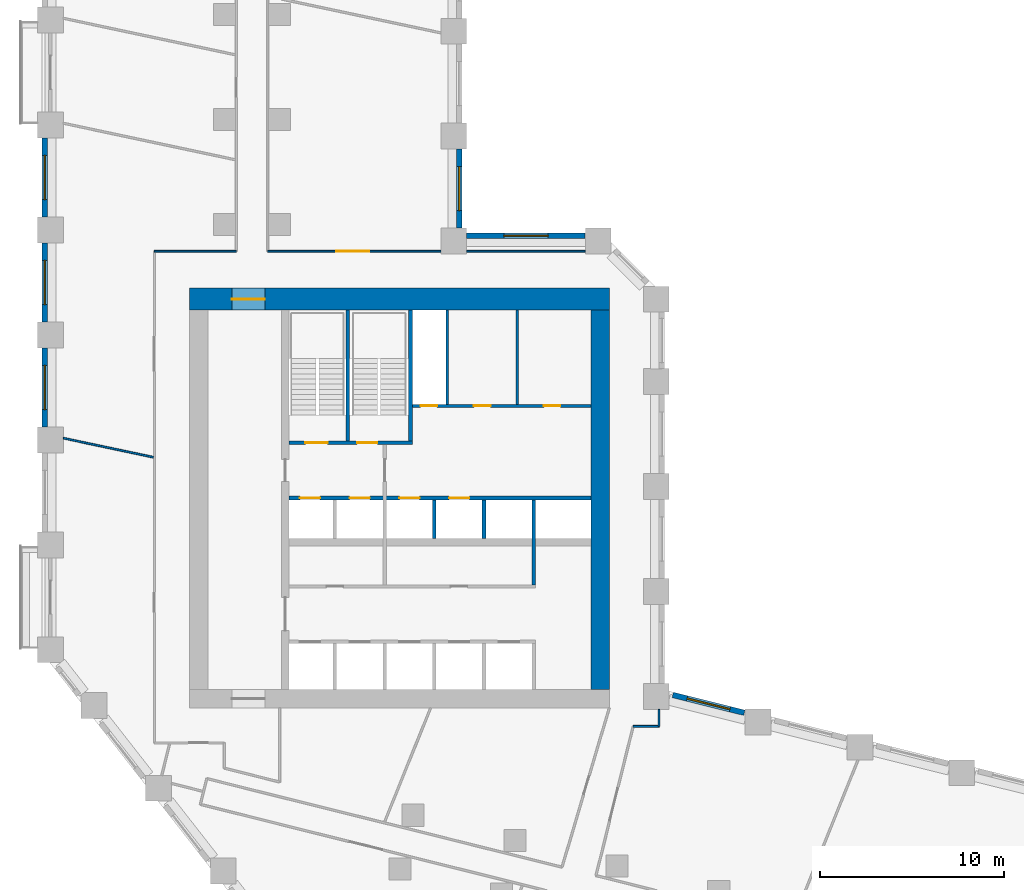
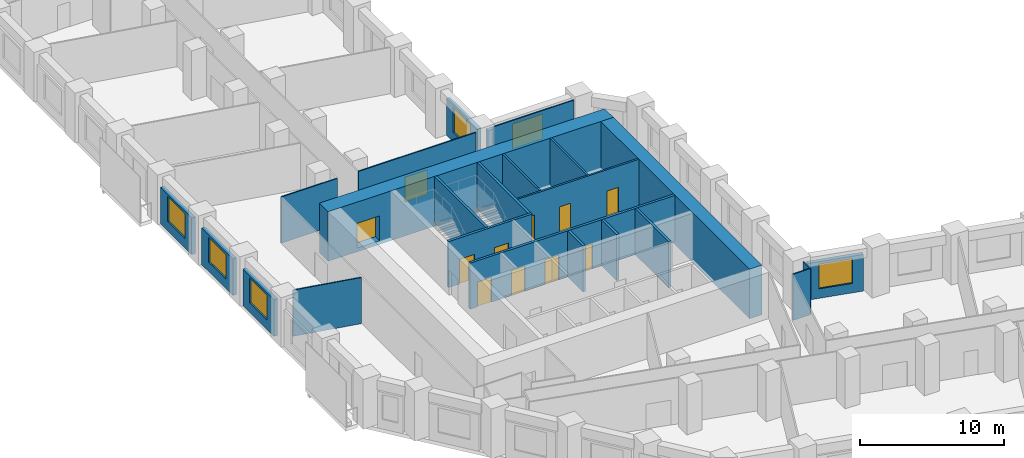
# One storey, part 5 of 11: 24 walls, 11 doors, 6 windows, 17 openings.
"""IFC4 building model written with IfcOpenShell, lengths in metres."""

from ifc_helpers import new_model, si_unit, direction, frame, frame_2d, origin, place, context, subcontext, project, spatial, rectangle, extrude, material, layer, layer_set, type_object, element, fill, save


model = new_model("IFC4")

# Units and contexts
model_context = context("Model", 3, precision=1e-05, world=origin(), true_north=direction((0.0, 1.0)))
body_context = subcontext(model_context, "Body", "Model", "MODEL_VIEW")
ifc_project = project(units=[si_unit("LENGTHUNIT", "METRE"), si_unit("AREAUNIT", "SQUARE_METRE"), si_unit("VOLUMEUNIT", "CUBIC_METRE"), si_unit("PLANEANGLEUNIT", "RADIAN"), si_unit("MASSUNIT", "GRAM", prefix="KILO")], contexts=[model_context])

# Site, building, storey
site_placement = place(None, origin())
site = spatial("IfcSite", under=ifc_project, at=site_placement, CompositionType="ELEMENT")
building_placement = place(site_placement, origin())
building = spatial("IfcBuilding", under=site, at=building_placement, Name="Meshkara Civic Tower", CompositionType="ELEMENT")
storey_placement = place(building_placement, frame((0.0, 0.0, 41.39990234375)))
storey = spatial("IfcBuildingStorey", under=building, at=storey_placement, Name="L08", CompositionType="ELEMENT", Elevation=41.39990234375)

# Wall, openings, doors
ifc_material_1 = material(Name="Blockwork", Category="masonry")
ifc_layer_1 = layer(ifc_material_1, 0.14990234375)
ifc_layer_set_1 = layer_set([ifc_layer_1], Name="Core partition 150")
wall_type_1 = type_object("IfcWallType", Name="Core partition 150", PredefinedType="PARTITIONING", material=ifc_layer_set_1)
wall_1_placement = place(storey_placement, frame((20.10009765625, 30.5, 0.0), z_axis=(0.0, 0.0, 1.0), x_axis=(1.0, 0.0, 0.0)))
wall_1 = element("IfcWall", 1, at=wall_1_placement, inside=storey, type_object=wall_type_1, Name="L08-C010", PredefinedType="PARTITIONING", context=body_context, shape_type="SweptSolid", body=[
    extrude(rectangle(XDim=9.699951171875, YDim=0.14990234375, at=frame_2d((4.85009765625, 0.0))), origin(), (0.0, 0.0, 1.0), 3.900146484375),
])
opening_1_placement = place(wall_1_placement, frame((0.449951171875, 0.0, 0.0)))
opening_1 = element("IfcOpeningElement", 2, at=opening_1_placement, cuts=wall_1, Name="Opening L08-K012", PredefinedType="OPENING", context=body_context, shape_type="SweptSolid", body=[
    extrude(rectangle(XDim=0.89990234375, YDim=2.10009765625, at=frame_2d((0.449951171875, 1.050048828125))), frame((0.0, 0.0849609375, 0.0), z_axis=(0.0, -1.0, 0.0), x_axis=(1.0, 0.0, 0.0)), (0.0, 0.0, 1.0), 0.169921875),
])
opening_2_placement = place(wall_1_placement, frame((3.35009765625, 0.0, 0.0)))
opening_2 = element("IfcOpeningElement", 3, at=opening_2_placement, cuts=wall_1, Name="Opening L08-K013", PredefinedType="OPENING", context=body_context, shape_type="SweptSolid", body=[
    extrude(rectangle(XDim=0.89990234375, YDim=2.10009765625, at=frame_2d((0.449951171875, 1.050048828125))), frame((0.0, 0.0849609375, 0.0), z_axis=(0.0, -1.0, 0.0), x_axis=(1.0, 0.0, 0.0)), (0.0, 0.0, 1.0), 0.169921875),
])
opening_3_placement = place(wall_1_placement, frame((7.14990234375, 0.0, 0.0)))
opening_3 = element("IfcOpeningElement", 4, at=opening_3_placement, cuts=wall_1, Name="Opening L08-K014", PredefinedType="OPENING", context=body_context, shape_type="SweptSolid", body=[
    extrude(rectangle(XDim=0.89990234375, YDim=2.10009765625, at=frame_2d((0.449951171875, 1.050048828125))), frame((0.0, 0.0849609375, 0.0), z_axis=(0.0, -1.0, 0.0), x_axis=(1.0, 0.0, 0.0)), (0.0, 0.0, 1.0), 0.169921875),
])
ifc_material_2 = material(Name="Timber door leaf in steel frame", Category="steel")
door_type_1 = type_object("IfcDoorType", Name="Core room door 900", OperationType="SINGLE_SWING_LEFT", PredefinedType="DOOR", material=ifc_material_2)
door_1_placement = place(opening_2_placement, origin())
door_1 = element("IfcDoor", 5, at=door_1_placement, inside=storey, type_object=door_type_1, Name="L08-K013", OperationType="SINGLE_SWING_RIGHT", OverallHeight=2.10009765625, OverallWidth=0.89990234375, PredefinedType="DOOR", context=body_context, shape_type="SweptSolid", body=[
    extrude(rectangle(XDim=0.89990234375, YDim=2.10009765625, at=frame_2d((0.449951171875, 1.050048828125))), frame((0.0, 0.02490234375, 0.0), z_axis=(0.0, -1.0, 0.0), x_axis=(1.0, 0.0, 0.0)), (0.0, 0.0, 1.0), 0.050048828125),
])
fill(opening_2, door_1)
ifc_material_3 = material(Name="Fire-rated door leaf in steel frame", Category="steel")
door_type_2 = type_object("IfcDoorType", Name="Riser door 900", OperationType="SINGLE_SWING_LEFT", PredefinedType="DOOR", material=ifc_material_3)
door_2_placement = place(opening_1_placement, origin())
door_2 = element("IfcDoor", 6, at=door_2_placement, inside=storey, type_object=door_type_2, Name="L08-K012", OperationType="SINGLE_SWING_RIGHT", OverallHeight=2.10009765625, OverallWidth=0.89990234375, PredefinedType="DOOR", context=body_context, shape_type="SweptSolid", body=[
    extrude(rectangle(XDim=0.89990234375, YDim=2.10009765625, at=frame_2d((0.449951171875, 1.050048828125))), frame((0.0, 0.02490234375, 0.0), z_axis=(0.0, -1.0, 0.0), x_axis=(1.0, 0.0, 0.0)), (0.0, 0.0, 1.0), 0.050048828125),
])
fill(opening_1, door_2)
ifc_material_4 = material(Name="Timber door leaf in steel frame", Category="steel")
door_type_3 = type_object("IfcDoorType", Name="WC door 900", OperationType="SINGLE_SWING_LEFT", PredefinedType="DOOR", material=ifc_material_4)
door_3_placement = place(opening_3_placement, origin())
door_3 = element("IfcDoor", 7, at=door_3_placement, inside=storey, type_object=door_type_3, Name="L08-K014", OperationType="SINGLE_SWING_LEFT", OverallHeight=2.10009765625, OverallWidth=0.89990234375, PredefinedType="DOOR", context=body_context, shape_type="SweptSolid", body=[
    extrude(rectangle(XDim=0.89990234375, YDim=2.10009765625, at=frame_2d((0.449951171875, 1.050048828125))), frame((0.0, 0.02490234375, 0.0), z_axis=(0.0, -1.0, 0.0), x_axis=(1.0, 0.0, 0.0)), (0.0, 0.0, 1.0), 0.050048828125),
])
fill(opening_3, door_3)

# Walls
for number, where, z_axis, x_axis, name in (
    (8, (22.0, 30.574951171875, 0.0), (0.0, 0.0, 1.0), (0.0, 1.0, 0.0), "L08-C020"),
    (9, (25.800048828125, 30.574951171875, 0.0), (0.0, 0.0, 1.0), (0.0, 1.0, 0.0), "L08-C023"),
):
    element("IfcWall", number, at=place(storey_placement, frame(where, z_axis=z_axis, x_axis=x_axis)), inside=storey, type_object=wall_type_1, Name=name, PredefinedType="PARTITIONING", context=body_context, shape_type="SweptSolid", body=[
        extrude(rectangle(XDim=5.125, YDim=0.14990234375, at=frame_2d((2.5625, 0.0))), origin(), (0.0, 0.0, 1.0), 3.900146484375),
    ])
ifc_material_5 = material(Name="Concrete C80", Category="concrete")
ifc_layer_2 = layer(ifc_material_5, 1.0)
ifc_layer_set_2 = layer_set([ifc_layer_2], Name="Core ring wall 1000 C80")
wall_type_2 = type_object("IfcWallType", Name="Core ring wall 1000 C80", PredefinedType="SHEAR", material=ifc_layer_set_2)
wall_2_placement = place(storey_placement, frame((30.300048828125, 15.10009765625, -0.2998046875), z_axis=(0.0, 0.0, 1.0), x_axis=(0.0, 1.0, 0.0)))
element("IfcWall", 10, at=wall_2_placement, inside=storey, type_object=wall_type_2, Name="L08-C004", PredefinedType="SHEAR", context=body_context, shape_type="SweptSolid", body=[
    extrude(rectangle(XDim=20.599853515625, YDim=1.0, at=frame_2d((10.2998046875, 0.0))), origin(), (0.0, 0.0, 1.0), 4.199951171875),
])

# Wall, opening, door
ifc_material_6 = material(Name="Concrete C80", Category="concrete")
ifc_layer_3 = layer(ifc_material_6, 1.199951171875)
ifc_layer_set_3 = layer_set([ifc_layer_3], Name="Core ring wall 1200 C80")
wall_type_3 = type_object("IfcWallType", Name="Core ring wall 1200 C80", PredefinedType="SHEAR", material=ifc_layer_set_3)
wall_3_placement = place(storey_placement, frame((8.0, 36.300048828125, -0.2998046875), z_axis=(0.0, 0.0, 1.0), x_axis=(1.0, 0.0, 0.0)))
wall_3 = element("IfcWall", 11, at=wall_3_placement, inside=storey, type_object=wall_type_3, Name="L08-C002", PredefinedType="SHEAR", context=body_context, shape_type="SweptSolid", body=[
    extrude(rectangle(XDim=22.800048828125, YDim=1.199951171875, at=frame_2d((11.39990234375, 0.0))), origin(), (0.0, 0.0, 1.0), 4.199951171875),
])
opening_4_placement = place(wall_3_placement, frame((2.300048828125, 0.0, 0.300048828125)))
opening_4 = element("IfcOpeningElement", 12, at=opening_4_placement, cuts=wall_3, Name="Opening L08-K020", PredefinedType="OPENING", context=body_context, shape_type="SweptSolid", body=[
    extrude(rectangle(XDim=1.800048828125, YDim=2.10009765625, at=frame_2d((0.89990234375, 1.050048828125))), frame((0.0, 0.60986328125, 0.0), z_axis=(0.0, -1.0, 0.0), x_axis=(1.0, 0.0, 0.0)), (0.0, 0.0, 1.0), 1.219970703125),
])
ifc_material_7 = material(Name="Fire-rated door leaf in steel frame", Category="steel")
door_type_4 = type_object("IfcDoorType", Name="Core double door 1800 EI 60", OperationType="DOUBLE_DOOR_SINGLE_SWING", PredefinedType="DOOR", material=ifc_material_7)
door_4_placement = place(opening_4_placement, origin())
door_4 = element("IfcDoor", 13, at=door_4_placement, inside=storey, type_object=door_type_4, Name="L08-K020", OperationType="DOUBLE_DOOR_SINGLE_SWING", OverallHeight=2.10009765625, OverallWidth=1.800048828125, PredefinedType="DOOR", context=body_context, shape_type="SweptSolid", body=[
    extrude(rectangle(XDim=1.800048828125, YDim=2.10009765625, at=frame_2d((0.89990234375, 1.050048828125))), frame((0.0, 0.02490234375, 0.0), z_axis=(0.0, -1.0, 0.0), x_axis=(1.0, 0.0, 0.0)), (0.0, 0.0, 1.0), 0.050048828125),
])
fill(opening_4, door_4)

# Wall
ifc_material_8 = material(Name="Corridor wall 100")
ifc_layer_4 = layer(ifc_material_8, 0.10009765625)
ifc_layer_set_4 = layer_set([ifc_layer_4], Name="Corridor wall 100")
wall_type_4 = type_object("IfcWallType", Name="Corridor wall 100", PredefinedType="PARTITIONING", material=ifc_layer_set_4)
wall_4_placement = place(storey_placement, frame((10.550048828125, 38.89990234375, 0.0), z_axis=(0.0, 0.0, 1.0), x_axis=(-1.0, 0.0, 0.0)))
element("IfcWall", 14, at=wall_4_placement, inside=storey, type_object=wall_type_4, Name="L08-W011", PredefinedType="PARTITIONING", context=body_context, shape_type="SweptSolid", body=[
    extrude(rectangle(XDim=4.449951171875, YDim=0.10009765625, at=frame_2d((2.22509765625, 0.0))), origin(), (0.0, 0.0, 1.0), 3.900146484375),
])

# Wall, opening, door
wall_5_placement = place(storey_placement, frame((21.64990234375, 38.89990234375, 0.0), z_axis=(0.0, 0.0, 1.0), x_axis=(-1.0, 0.0, 0.0)))
wall_5 = element("IfcWall", 15, at=wall_5_placement, inside=storey, type_object=wall_type_4, Name="L08-W018", PredefinedType="PARTITIONING", context=body_context, shape_type="SweptSolid", body=[
    extrude(rectangle(XDim=9.39990234375, YDim=0.10009765625, at=frame_2d((4.699951171875, 0.0))), origin(), (0.0, 0.0, 1.0), 3.900146484375),
])
opening_5_placement = place(wall_5_placement, frame((3.8798828125, 0.0, 0.0)))
opening_5 = element("IfcOpeningElement", 16, at=opening_5_placement, cuts=wall_5, Name="Opening L08-D019", PredefinedType="OPENING", context=body_context, shape_type="SweptSolid", body=[
    extrude(rectangle(XDim=1.800048828125, YDim=2.10009765625, at=frame_2d((0.89990234375, 1.050048828125))), frame((0.0, 0.06005859375, 0.0), z_axis=(0.0, -1.0, 0.0), x_axis=(1.0, 0.0, 0.0)), (0.0, 0.0, 1.0), 0.1201171875),
])
ifc_material_9 = material(Name="Door pair 1800 x 2100")
door_type_5 = type_object("IfcDoorType", Name="Door pair 1800 x 2100", OperationType="SINGLE_SWING_LEFT", PredefinedType="DOOR", material=ifc_material_9)
door_5_placement = place(opening_5_placement, origin())
door_5 = element("IfcDoor", 17, at=door_5_placement, inside=storey, type_object=door_type_5, Name="L08-D019", OperationType="DOUBLE_DOOR_SINGLE_SWING", OverallHeight=2.10009765625, OverallWidth=1.800048828125, PredefinedType="DOOR", context=body_context, shape_type="SweptSolid", body=[
    extrude(rectangle(XDim=1.800048828125, YDim=2.10009765625, at=frame_2d((0.89990234375, 1.050048828125))), frame((0.0, 0.02490234375, 0.0), z_axis=(0.0, -1.0, 0.0), x_axis=(1.0, 0.0, 0.0)), (0.0, 0.0, 1.0), 0.050048828125),
])
fill(opening_5, door_5)

# Walls
wall_6_placement = place(storey_placement, frame((29.493896484375, 38.89990234375, 0.0), z_axis=(0.0, 0.0, 1.0), x_axis=(-1.0, 0.0, 0.0)))
element("IfcWall", 18, at=wall_6_placement, inside=storey, type_object=wall_type_4, Name="L08-W019", PredefinedType="PARTITIONING", context=body_context, shape_type="SweptSolid", body=[
    extrude(rectangle(XDim=6.44384765625, YDim=0.10009765625, at=frame_2d((3.221923828125, 0.0))), origin(), (0.0, 0.0, 1.0), 3.900146484375),
])
wall_7_placement = place(storey_placement, frame((32.096923828125, 13.10009765625, 0.0), z_axis=(0.0, 0.0, 1.0), x_axis=(1.0, 0.0, 0.0)))
element("IfcWall", 19, at=wall_7_placement, inside=storey, type_object=wall_type_4, Name="L08-W023", PredefinedType="PARTITIONING", context=body_context, shape_type="SweptSolid", body=[
    extrude(rectangle(XDim=1.403076171875, YDim=0.10009765625, at=frame_2d((0.70166015625, 0.0))), origin(), (0.0, 0.0, 1.0), 3.900146484375),
])
wall_8_placement = place(storey_placement, frame((33.5, 13.10009765625, 0.0), z_axis=(0.0, 0.0, 1.0), x_axis=(0.0, 1.0, 0.0)))
element("IfcWall", 20, at=wall_8_placement, inside=storey, type_object=wall_type_4, Name="L08-W024", PredefinedType="PARTITIONING", context=body_context, shape_type="SweptSolid", body=[
    extrude(rectangle(XDim=0.9189453125, YDim=0.10009765625, at=frame_2d((0.45947265625, 0.0))), origin(), (0.0, 0.0, 1.0), 3.900146484375),
])

# Wall, opening, window
ifc_material_10 = material(Name="Insulated infill panel with bronze anodised aluminium cladding", Category="aluminium")
ifc_layer_5 = layer(ifc_material_10, 0.300048828125)
ifc_layer_set_5 = layer_set([ifc_layer_5], Name="EXTERNAL INFILL WALL 300")
wall_type_5 = type_object("IfcWallType", Name="EXTERNAL INFILL WALL 300", PredefinedType="SOLIDWALL", material=ifc_layer_set_5)
wall_9_placement = place(storey_placement, frame((38.1298828125, 13.8369140625, 0.0), z_axis=(0.0, 0.0, 1.0), x_axis=(-0.970314477803, 0.241846674911, 0.0)))
wall_9 = element("IfcWall", 21, at=wall_9_placement, inside=storey, type_object=wall_type_5, Name="External wall", PredefinedType="SOLIDWALL", context=body_context, shape_type="SweptSolid", body=[
    extrude(rectangle(XDim=4.002685546875, YDim=0.300048828125, at=frame_2d((2.00146484375, 0.0))), origin(), (0.0, 0.0, 1.0), 3.10009765625),
])
opening_6_placement = place(wall_9_placement, frame((0.802001953125, 0.0, 0.800048828125)))
opening_6 = element("IfcOpeningElement", 22, at=opening_6_placement, cuts=wall_9, Name="Opening W7", PredefinedType="OPENING", context=body_context, shape_type="SweptSolid", body=[
    extrude(rectangle(XDim=2.39990234375, YDim=2.10009765625, at=frame_2d((1.199951171875, 1.050048828125))), frame((0.0, 0.159912109375, 0.0), z_axis=(0.0, -1.0, 0.0), x_axis=(1.0, 0.0, 0.0)), (0.0, 0.0, 1.0), 0.320068359375),
])
ifc_material_11 = material(Name="Tinted double glazing", Category="glass")
window_type = type_object("IfcWindowType", Name="WINDOW 2400x2100", PartitioningType="DOUBLE_PANEL_VERTICAL", PredefinedType="WINDOW", material=ifc_material_11)
window_1_placement = place(opening_6_placement, origin())
window_1 = element("IfcWindow", 23, at=window_1_placement, inside=storey, type_object=window_type, Name="Window", OverallHeight=2.10009765625, OverallWidth=2.39990234375, PartitioningType="DOUBLE_PANEL_VERTICAL", PredefinedType="WINDOW", context=body_context, shape_type="SweptSolid", body=[
    extrude(rectangle(XDim=2.39990234375, YDim=2.10009765625, at=frame_2d((1.199951171875, 1.050048828125))), frame((0.0, 0.030029296875, 0.0), z_axis=(0.0, -1.0, 0.0), x_axis=(1.0, 0.0, 0.0)), (0.0, 0.0, 1.0), 0.06005859375),
])
fill(opening_6, window_1)

wall_10_placement = place(storey_placement, frame((29.493896484375, 39.75, 0.0), z_axis=(0.0, 0.0, 1.0), x_axis=(-1.0, 0.0, 0.0)))
wall_10 = element("IfcWall", 24, at=wall_10_placement, inside=storey, type_object=wall_type_5, Name="External wall", PredefinedType="SOLIDWALL", context=body_context, shape_type="SweptSolid", body=[
    extrude(rectangle(XDim=6.44384765625, YDim=0.300048828125, at=frame_2d((3.221923828125, 0.0))), origin(), (0.0, 0.0, 1.0), 3.10009765625),
])
opening_7_placement = place(wall_10_placement, frame((2.02197265625, 0.0, 0.800048828125)))
opening_7 = element("IfcOpeningElement", 25, at=opening_7_placement, cuts=wall_10, Name="Opening W7", PredefinedType="OPENING", context=body_context, shape_type="SweptSolid", body=[
    extrude(rectangle(XDim=2.39990234375, YDim=2.10009765625, at=frame_2d((1.199951171875, 1.050048828125))), frame((0.0, 0.159912109375, 0.0), z_axis=(0.0, -1.0, 0.0), x_axis=(1.0, 0.0, 0.0)), (0.0, 0.0, 1.0), 0.320068359375),
])
window_2_placement = place(opening_7_placement, origin())
window_2 = element("IfcWindow", 26, at=window_2_placement, inside=storey, type_object=window_type, Name="Window", OverallHeight=2.10009765625, OverallWidth=2.39990234375, PartitioningType="DOUBLE_PANEL_VERTICAL", PredefinedType="WINDOW", context=body_context, shape_type="SweptSolid", body=[
    extrude(rectangle(XDim=2.39990234375, YDim=2.10009765625, at=frame_2d((1.199951171875, 1.050048828125))), frame((0.0, 0.030029296875, 0.0), z_axis=(0.0, -1.0, 0.0), x_axis=(1.0, 0.0, 0.0)), (0.0, 0.0, 1.0), 0.06005859375),
])
fill(opening_7, window_2)

wall_11_placement = place(storey_placement, frame((22.64990234375, 40.14990234375, 0.0), z_axis=(0.0, 0.0, 1.0), x_axis=(0.0, 1.0, 0.0)))
wall_11 = element("IfcWall", 27, at=wall_11_placement, inside=storey, type_object=wall_type_5, Name="External wall", PredefinedType="SOLIDWALL", context=body_context, shape_type="SweptSolid", body=[
    extrude(rectangle(XDim=4.300048828125, YDim=0.300048828125, at=frame_2d((2.14990234375, 0.0))), origin(), (0.0, 0.0, 1.0), 3.10009765625),
])
opening_8_placement = place(wall_11_placement, frame((0.949951171875, 0.0, 0.800048828125)))
opening_8 = element("IfcOpeningElement", 28, at=opening_8_placement, cuts=wall_11, Name="Opening W7", PredefinedType="OPENING", context=body_context, shape_type="SweptSolid", body=[
    extrude(rectangle(XDim=2.39990234375, YDim=2.10009765625, at=frame_2d((1.199951171875, 1.050048828125))), frame((0.0, 0.159912109375, 0.0), z_axis=(0.0, -1.0, 0.0), x_axis=(1.0, 0.0, 0.0)), (0.0, 0.0, 1.0), 0.320068359375),
])
window_3_placement = place(opening_8_placement, origin())
window_3 = element("IfcWindow", 29, at=window_3_placement, inside=storey, type_object=window_type, Name="Window", OverallHeight=2.10009765625, OverallWidth=2.39990234375, PartitioningType="DOUBLE_PANEL_VERTICAL", PredefinedType="WINDOW", context=body_context, shape_type="SweptSolid", body=[
    extrude(rectangle(XDim=2.39990234375, YDim=2.10009765625, at=frame_2d((1.199951171875, 1.050048828125))), frame((0.0, 0.030029296875, 0.0), z_axis=(0.0, -1.0, 0.0), x_axis=(1.0, 0.0, 0.0)), (0.0, 0.0, 1.0), 0.06005859375),
])
fill(opening_8, window_3)

wall_12_placement = place(storey_placement, frame((0.14990234375, 45.054931640625, 0.0), z_axis=(0.0, 0.0, 1.0), x_axis=(0.0, -1.0, 0.0)))
wall_12 = element("IfcWall", 30, at=wall_12_placement, inside=storey, type_object=wall_type_5, Name="External wall", PredefinedType="SOLIDWALL", context=body_context, shape_type="SweptSolid", body=[
    extrude(rectangle(XDim=4.300048828125, YDim=0.300048828125, at=frame_2d((2.14990234375, 0.0))), origin(), (0.0, 0.0, 1.0), 3.10009765625),
])
opening_9_placement = place(wall_12_placement, frame((0.949951171875, 0.0, 0.800048828125)))
opening_9 = element("IfcOpeningElement", 31, at=opening_9_placement, cuts=wall_12, Name="Opening W7", PredefinedType="OPENING", context=body_context, shape_type="SweptSolid", body=[
    extrude(rectangle(XDim=2.39990234375, YDim=2.10009765625, at=frame_2d((1.199951171875, 1.050048828125))), frame((0.0, 0.159912109375, 0.0), z_axis=(0.0, -1.0, 0.0), x_axis=(1.0, 0.0, 0.0)), (0.0, 0.0, 1.0), 0.320068359375),
])
window_4_placement = place(opening_9_placement, origin())
window_4 = element("IfcWindow", 32, at=window_4_placement, inside=storey, type_object=window_type, Name="Window", OverallHeight=2.10009765625, OverallWidth=2.39990234375, PartitioningType="DOUBLE_PANEL_VERTICAL", PredefinedType="WINDOW", context=body_context, shape_type="SweptSolid", body=[
    extrude(rectangle(XDim=2.39990234375, YDim=2.10009765625, at=frame_2d((1.199951171875, 1.050048828125))), frame((0.0, 0.030029296875, 0.0), z_axis=(0.0, -1.0, 0.0), x_axis=(1.0, 0.0, 0.0)), (0.0, 0.0, 1.0), 0.06005859375),
])
fill(opening_9, window_4)

wall_13_placement = place(storey_placement, frame((0.14990234375, 39.35498046875, 0.0), z_axis=(0.0, 0.0, 1.0), x_axis=(0.0, -1.0, 0.0)))
wall_13 = element("IfcWall", 33, at=wall_13_placement, inside=storey, type_object=wall_type_5, Name="External wall", PredefinedType="SOLIDWALL", context=body_context, shape_type="SweptSolid", body=[
    extrude(rectangle(XDim=4.300048828125, YDim=0.300048828125, at=frame_2d((2.14990234375, 0.0))), origin(), (0.0, 0.0, 1.0), 3.10009765625),
])
opening_10_placement = place(wall_13_placement, frame((0.949951171875, 0.0, 0.800048828125)))
opening_10 = element("IfcOpeningElement", 34, at=opening_10_placement, cuts=wall_13, Name="Opening W7", PredefinedType="OPENING", context=body_context, shape_type="SweptSolid", body=[
    extrude(rectangle(XDim=2.39990234375, YDim=2.10009765625, at=frame_2d((1.199951171875, 1.050048828125))), frame((0.0, 0.159912109375, 0.0), z_axis=(0.0, -1.0, 0.0), x_axis=(1.0, 0.0, 0.0)), (0.0, 0.0, 1.0), 0.320068359375),
])
window_5_placement = place(opening_10_placement, origin())
window_5 = element("IfcWindow", 35, at=window_5_placement, inside=storey, type_object=window_type, Name="Window", OverallHeight=2.10009765625, OverallWidth=2.39990234375, PartitioningType="DOUBLE_PANEL_VERTICAL", PredefinedType="WINDOW", context=body_context, shape_type="SweptSolid", body=[
    extrude(rectangle(XDim=2.39990234375, YDim=2.10009765625, at=frame_2d((1.199951171875, 1.050048828125))), frame((0.0, 0.030029296875, 0.0), z_axis=(0.0, -1.0, 0.0), x_axis=(1.0, 0.0, 0.0)), (0.0, 0.0, 1.0), 0.06005859375),
])
fill(opening_10, window_5)

wall_14_placement = place(storey_placement, frame((0.14990234375, 33.655029296875, 0.0), z_axis=(0.0, 0.0, 1.0), x_axis=(0.0, -1.0, 0.0)))
wall_14 = element("IfcWall", 36, at=wall_14_placement, inside=storey, type_object=wall_type_5, Name="External wall", PredefinedType="SOLIDWALL", context=body_context, shape_type="SweptSolid", body=[
    extrude(rectangle(XDim=4.300048828125, YDim=0.300048828125, at=frame_2d((2.14990234375, 0.0))), origin(), (0.0, 0.0, 1.0), 3.10009765625),
])
opening_11_placement = place(wall_14_placement, frame((0.949951171875, 0.0, 0.800048828125)))
opening_11 = element("IfcOpeningElement", 37, at=opening_11_placement, cuts=wall_14, Name="Opening W7", PredefinedType="OPENING", context=body_context, shape_type="SweptSolid", body=[
    extrude(rectangle(XDim=2.39990234375, YDim=2.10009765625, at=frame_2d((1.199951171875, 1.050048828125))), frame((0.0, 0.159912109375, 0.0), z_axis=(0.0, -1.0, 0.0), x_axis=(1.0, 0.0, 0.0)), (0.0, 0.0, 1.0), 0.320068359375),
])
window_6_placement = place(opening_11_placement, origin())
window_6 = element("IfcWindow", 38, at=window_6_placement, inside=storey, type_object=window_type, Name="Window", OverallHeight=2.10009765625, OverallWidth=2.39990234375, PartitioningType="DOUBLE_PANEL_VERTICAL", PredefinedType="WINDOW", context=body_context, shape_type="SweptSolid", body=[
    extrude(rectangle(XDim=2.39990234375, YDim=2.10009765625, at=frame_2d((1.199951171875, 1.050048828125))), frame((0.0, 0.030029296875, 0.0), z_axis=(0.0, -1.0, 0.0), x_axis=(1.0, 0.0, 0.0)), (0.0, 0.0, 1.0), 0.06005859375),
])
fill(opening_11, window_6)

# Wall
ifc_material_12 = material(Name="Partition 100")
ifc_layer_6 = layer(ifc_material_12, 0.10009765625)
ifc_layer_set_6 = layer_set([ifc_layer_6], Name="Partition 100")
wall_type_6 = type_object("IfcWallType", Name="Partition 100", PredefinedType="PARTITIONING", material=ifc_layer_set_6)
wall_15_placement = place(storey_placement, frame((6.0400390625, 27.7119140625, 0.0), z_axis=(0.0, 0.0, 1.0), x_axis=(-0.978162574156, 0.207841233929, 0.0)))
element("IfcWall", 39, at=wall_15_placement, inside=storey, type_object=wall_type_6, Name="L08-W033", PredefinedType="PARTITIONING", context=body_context, shape_type="SweptSolid", body=[
    extrude(rectangle(XDim=4.999267578125, YDim=0.10009765625, at=frame_2d((2.49951171875, 0.0))), origin(), (0.0, 0.0, 1.0), 3.900146484375),
])

# Wall, openings, doors
ifc_material_13 = material(Name="Concrete C40/50", Category="concrete")
ifc_layer_7 = layer(ifc_material_13, 0.199951171875)
ifc_layer_set_7 = layer_set([ifc_layer_7], Name="Shaft wall 200 C40/50")
wall_type_7 = type_object("IfcWallType", Name="Shaft wall 200 C40/50", PredefinedType="SOLIDWALL", material=ifc_layer_set_7)
wall_16_placement = place(storey_placement, frame((13.39990234375, 25.5, 0.0), z_axis=(0.0, 0.0, 1.0), x_axis=(1.0, 0.0, 0.0)))
wall_16 = element("IfcWall", 40, at=wall_16_placement, inside=storey, type_object=wall_type_7, Name="L08-C008", PredefinedType="SOLIDWALL", context=body_context, shape_type="SweptSolid", body=[
    extrude(rectangle(XDim=16.400146484375, YDim=0.199951171875, at=frame_2d((8.2001953125, 0.0))), origin(), (0.0, 0.0, 1.0), 3.900146484375),
])
opening_12_placement = place(wall_16_placement, frame((0.60009765625, 0.0, 0.0)))
opening_12 = element("IfcOpeningElement", 41, at=opening_12_placement, cuts=wall_16, Name="Opening L08-K006", PredefinedType="OPENING", context=body_context, shape_type="SweptSolid", body=[
    extrude(rectangle(XDim=1.10009765625, YDim=2.10009765625, at=frame_2d((0.550048828125, 1.050048828125))), frame((0.0, 0.10986328125, 0.0), z_axis=(0.0, -1.0, 0.0), x_axis=(1.0, 0.0, 0.0)), (0.0, 0.0, 1.0), 0.219970703125),
])
opening_13_placement = place(wall_16_placement, frame((3.300048828125, 0.0, 0.0)))
opening_13 = element("IfcOpeningElement", 42, at=opening_13_placement, cuts=wall_16, Name="Opening L08-K007", PredefinedType="OPENING", context=body_context, shape_type="SweptSolid", body=[
    extrude(rectangle(XDim=1.10009765625, YDim=2.10009765625, at=frame_2d((0.550048828125, 1.050048828125))), frame((0.0, 0.10986328125, 0.0), z_axis=(0.0, -1.0, 0.0), x_axis=(1.0, 0.0, 0.0)), (0.0, 0.0, 1.0), 0.219970703125),
])
opening_14_placement = place(wall_16_placement, frame((6.0, 0.0, 0.0)))
opening_14 = element("IfcOpeningElement", 43, at=opening_14_placement, cuts=wall_16, Name="Opening L08-K008", PredefinedType="OPENING", context=body_context, shape_type="SweptSolid", body=[
    extrude(rectangle(XDim=1.10009765625, YDim=2.10009765625, at=frame_2d((0.550048828125, 1.050048828125))), frame((0.0, 0.10986328125, 0.0), z_axis=(0.0, -1.0, 0.0), x_axis=(1.0, 0.0, 0.0)), (0.0, 0.0, 1.0), 0.219970703125),
])
opening_15_placement = place(wall_16_placement, frame((8.699951171875, 0.0, 0.0)))
opening_15 = element("IfcOpeningElement", 44, at=opening_15_placement, cuts=wall_16, Name="Opening L08-K009", PredefinedType="OPENING", context=body_context, shape_type="SweptSolid", body=[
    extrude(rectangle(XDim=1.10009765625, YDim=2.10009765625, at=frame_2d((0.550048828125, 1.050048828125))), frame((0.0, 0.10986328125, 0.0), z_axis=(0.0, -1.0, 0.0), x_axis=(1.0, 0.0, 0.0)), (0.0, 0.0, 1.0), 0.219970703125),
])
ifc_material_14 = material(Name="Stainless steel landing door", Category="steel")
door_type_6 = type_object("IfcDoorType", Name="Lift landing door 1100", OperationType="SLIDING_TO_LEFT", PredefinedType="DOOR", material=ifc_material_14)
door_6_placement = place(opening_12_placement, origin())
door_6 = element("IfcDoor", 45, at=door_6_placement, inside=storey, type_object=door_type_6, Name="L08-K006", OperationType="SLIDING_TO_LEFT", OverallHeight=2.10009765625, OverallWidth=1.10009765625, PredefinedType="DOOR", context=body_context, shape_type="SweptSolid", body=[
    extrude(rectangle(XDim=1.10009765625, YDim=2.10009765625, at=frame_2d((0.550048828125, 1.050048828125))), frame((0.0, 0.02490234375, 0.0), z_axis=(0.0, -1.0, 0.0), x_axis=(1.0, 0.0, 0.0)), (0.0, 0.0, 1.0), 0.050048828125),
])
fill(opening_12, door_6)
door_7_placement = place(opening_13_placement, origin())
door_7 = element("IfcDoor", 46, at=door_7_placement, inside=storey, type_object=door_type_6, Name="L08-K007", OperationType="SLIDING_TO_LEFT", OverallHeight=2.10009765625, OverallWidth=1.10009765625, PredefinedType="DOOR", context=body_context, shape_type="SweptSolid", body=[
    extrude(rectangle(XDim=1.10009765625, YDim=2.10009765625, at=frame_2d((0.550048828125, 1.050048828125))), frame((0.0, 0.02490234375, 0.0), z_axis=(0.0, -1.0, 0.0), x_axis=(1.0, 0.0, 0.0)), (0.0, 0.0, 1.0), 0.050048828125),
])
fill(opening_13, door_7)
door_8_placement = place(opening_14_placement, origin())
door_8 = element("IfcDoor", 47, at=door_8_placement, inside=storey, type_object=door_type_6, Name="L08-K008", OperationType="SLIDING_TO_LEFT", OverallHeight=2.10009765625, OverallWidth=1.10009765625, PredefinedType="DOOR", context=body_context, shape_type="SweptSolid", body=[
    extrude(rectangle(XDim=1.10009765625, YDim=2.10009765625, at=frame_2d((0.550048828125, 1.050048828125))), frame((0.0, 0.02490234375, 0.0), z_axis=(0.0, -1.0, 0.0), x_axis=(1.0, 0.0, 0.0)), (0.0, 0.0, 1.0), 0.050048828125),
])
fill(opening_14, door_8)
door_9_placement = place(opening_15_placement, origin())
door_9 = element("IfcDoor", 48, at=door_9_placement, inside=storey, type_object=door_type_6, Name="L08-K009", OperationType="SLIDING_TO_LEFT", OverallHeight=2.10009765625, OverallWidth=1.10009765625, PredefinedType="DOOR", context=body_context, shape_type="SweptSolid", body=[
    extrude(rectangle(XDim=1.10009765625, YDim=2.10009765625, at=frame_2d((0.550048828125, 1.050048828125))), frame((0.0, 0.02490234375, 0.0), z_axis=(0.0, -1.0, 0.0), x_axis=(1.0, 0.0, 0.0)), (0.0, 0.0, 1.0), 0.050048828125),
])
fill(opening_15, door_9)

# Walls
for number, where, z_axis, x_axis, name in (
    (49, (21.300048828125, 23.300048828125, 0.0), (0.0, 0.0, 1.0), (0.0, 1.0, 0.0), "L08-C019"),
    (50, (24.0, 23.300048828125, 0.0), (0.0, 0.0, 1.0), (0.0, 1.0, 0.0), "L08-C022"),
):
    element("IfcWall", number, at=place(storey_placement, frame(where, z_axis=z_axis, x_axis=x_axis)), inside=storey, type_object=wall_type_7, Name=name, PredefinedType="SOLIDWALL", context=body_context, shape_type="SweptSolid", body=[
        extrude(rectangle(XDim=2.099853515625, YDim=0.199951171875, at=frame_2d((1.0498046875, 0.0))), origin(), (0.0, 0.0, 1.0), 3.900146484375),
    ])
wall_17_placement = place(storey_placement, frame((26.699951171875, 20.77490234375, 0.0), z_axis=(0.0, 0.0, 1.0), x_axis=(0.0, 1.0, 0.0)))
element("IfcWall", 51, at=wall_17_placement, inside=storey, type_object=wall_type_7, Name="L08-C025", PredefinedType="SOLIDWALL", context=body_context, shape_type="SweptSolid", body=[
    extrude(rectangle(XDim=4.625, YDim=0.199951171875, at=frame_2d((2.3125, 0.0))), origin(), (0.0, 0.0, 1.0), 3.900146484375),
])

# Wall, openings, doors
ifc_material_15 = material(Name="Concrete C40/50", Category="concrete")
ifc_layer_8 = layer(ifc_material_15, 0.199951171875)
ifc_layer_set_8 = layer_set([ifc_layer_8], Name="Stair enclosure wall 200 C40/50")
wall_type_8 = type_object("IfcWallType", Name="Stair enclosure wall 200 C40/50", PredefinedType="SOLIDWALL", material=ifc_layer_set_8)
wall_18_placement = place(storey_placement, frame((13.39990234375, 28.5, 0.0), z_axis=(0.0, 0.0, 1.0), x_axis=(1.0, 0.0, 0.0)))
wall_18 = element("IfcWall", 52, at=wall_18_placement, inside=storey, type_object=wall_type_8, Name="L08-C009", PredefinedType="SOLIDWALL", context=body_context, shape_type="SweptSolid", body=[
    extrude(rectangle(XDim=6.7001953125, YDim=0.199951171875, at=frame_2d((3.35009765625, 0.0))), origin(), (0.0, 0.0, 1.0), 3.900146484375),
])
opening_16_placement = place(wall_18_placement, frame((0.89990234375, 0.0, 0.0)))
opening_16 = element("IfcOpeningElement", 53, at=opening_16_placement, cuts=wall_18, Name="Opening L08-K015", PredefinedType="OPENING", context=body_context, shape_type="SweptSolid", body=[
    extrude(rectangle(XDim=1.199951171875, YDim=2.10009765625, at=frame_2d((0.60009765625, 1.050048828125))), frame((0.0, 0.10986328125, 0.0), z_axis=(0.0, -1.0, 0.0), x_axis=(1.0, 0.0, 0.0)), (0.0, 0.0, 1.0), 0.219970703125),
])
opening_17_placement = place(wall_18_placement, frame((3.699951171875, 0.0, 0.0)))
opening_17 = element("IfcOpeningElement", 54, at=opening_17_placement, cuts=wall_18, Name="Opening L08-K016", PredefinedType="OPENING", context=body_context, shape_type="SweptSolid", body=[
    extrude(rectangle(XDim=1.10009765625, YDim=2.10009765625, at=frame_2d((0.550048828125, 1.050048828125))), frame((0.0, 0.10986328125, 0.0), z_axis=(0.0, -1.0, 0.0), x_axis=(1.0, 0.0, 0.0)), (0.0, 0.0, 1.0), 0.219970703125),
])
ifc_material_16 = material(Name="Fire-rated door leaf in steel frame", Category="steel")
door_type_7 = type_object("IfcDoorType", Name="Stair door 1100 EI 120", OperationType="SINGLE_SWING_LEFT", PredefinedType="DOOR", material=ifc_material_16)
door_10_placement = place(opening_17_placement, origin())
door_10 = element("IfcDoor", 55, at=door_10_placement, inside=storey, type_object=door_type_7, Name="L08-K016", OperationType="SINGLE_SWING_LEFT", OverallHeight=2.10009765625, OverallWidth=1.10009765625, PredefinedType="DOOR", context=body_context, shape_type="SweptSolid", body=[
    extrude(rectangle(XDim=1.10009765625, YDim=2.10009765625, at=frame_2d((0.550048828125, 1.050048828125))), frame((0.0, 0.02490234375, 0.0), z_axis=(0.0, -1.0, 0.0), x_axis=(1.0, 0.0, 0.0)), (0.0, 0.0, 1.0), 0.050048828125),
])
fill(opening_17, door_10)
ifc_material_17 = material(Name="Fire-rated door leaf in steel frame", Category="steel")
door_type_8 = type_object("IfcDoorType", Name="Stair door 1200 EI 120", OperationType="SINGLE_SWING_LEFT", PredefinedType="DOOR", material=ifc_material_17)
door_11_placement = place(opening_16_placement, origin())
door_11 = element("IfcDoor", 56, at=door_11_placement, inside=storey, type_object=door_type_8, Name="L08-K015", OperationType="SINGLE_SWING_RIGHT", OverallHeight=2.10009765625, OverallWidth=1.199951171875, PredefinedType="DOOR", context=body_context, shape_type="SweptSolid", body=[
    extrude(rectangle(XDim=1.199951171875, YDim=2.10009765625, at=frame_2d((0.60009765625, 1.050048828125))), frame((0.0, 0.02490234375, 0.0), z_axis=(0.0, -1.0, 0.0), x_axis=(1.0, 0.0, 0.0)), (0.0, 0.0, 1.0), 0.050048828125),
])
fill(opening_16, door_11)

# Walls
for number, where, z_axis, x_axis, name in (
    (57, (16.60009765625, 28.60009765625, 0.0), (0.0, 0.0, 1.0), (0.0, 1.0, 0.0), "L08-C014"),
    (58, (20.0, 28.60009765625, 0.0), (0.0, 0.0, 1.0), (0.0, 1.0, 0.0), "L08-C017"),
):
    element("IfcWall", number, at=place(storey_placement, frame(where, z_axis=z_axis, x_axis=x_axis)), inside=storey, type_object=wall_type_8, Name=name, PredefinedType="SOLIDWALL", context=body_context, shape_type="SweptSolid", body=[
        extrude(rectangle(XDim=7.099853515625, YDim=0.199951171875, at=frame_2d((3.5498046875, 0.0))), origin(), (0.0, 0.0, 1.0), 3.900146484375),
    ])

save(model, "model.ifc")
